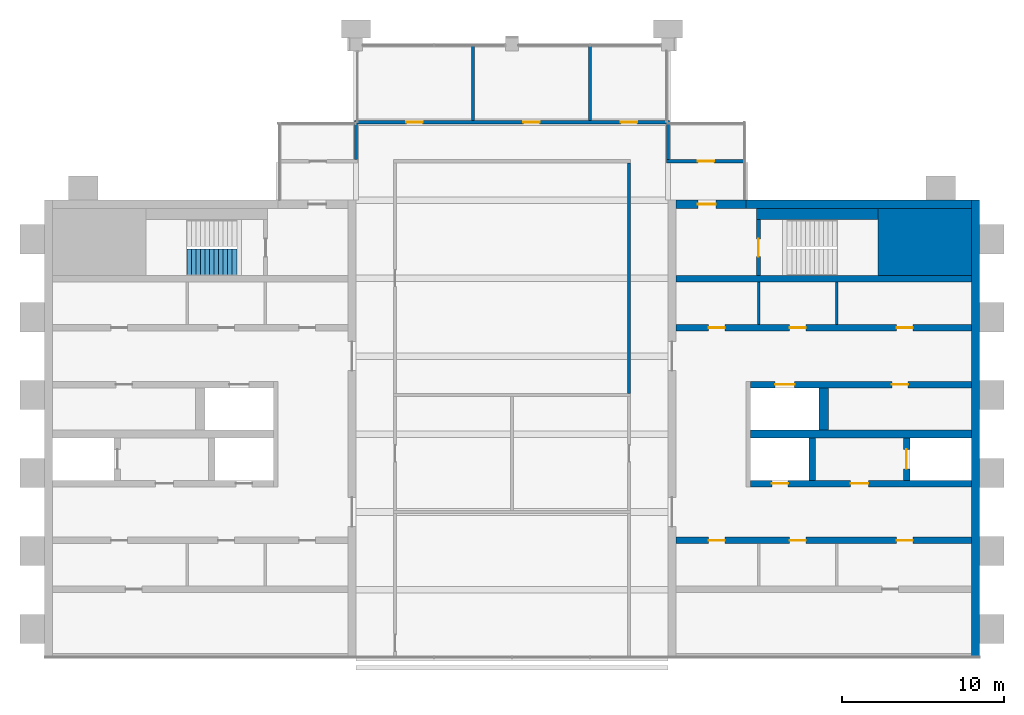
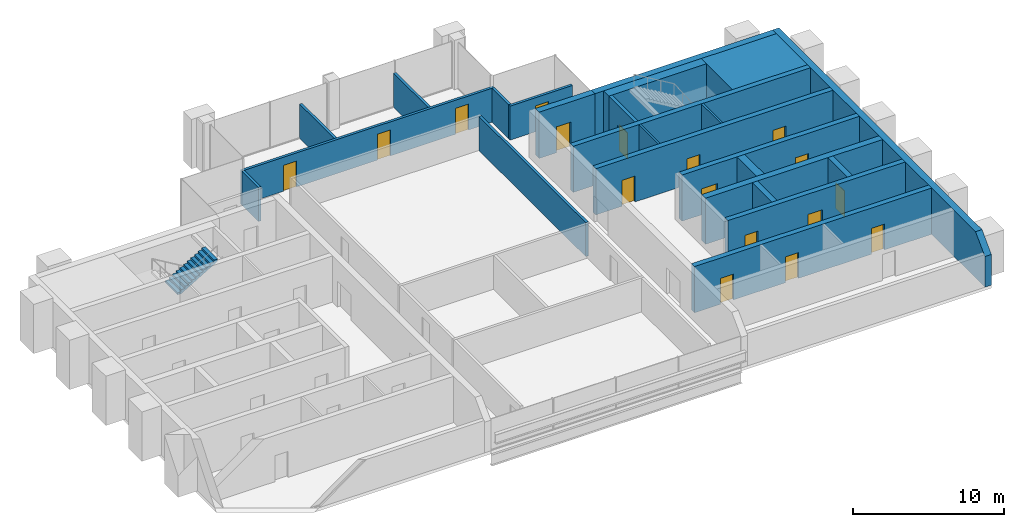
# One storey, part 10 of 12: 24 walls, 17 doors, 1 stair flight, 17 openings, 1 element without a shape of its own.
"""IFC4 building model written with IfcOpenShell, lengths in metres."""

from ifc_helpers import new_model, si_unit, direction, frame, frame_2d, origin, place, context, subcontext, project, spatial, polyline, rectangle, outline, extrude, material, layer, layer_set, type_object, element, fill, aggregate, save


model = new_model("IFC4")

# Units and contexts
model_context = context("Model", 3, precision=1e-05, world=origin(), true_north=direction((0.0, 1.0)))
body_context = subcontext(model_context, "Body", "Model", "MODEL_VIEW")
ifc_project = project(units=[si_unit("LENGTHUNIT", "METRE"), si_unit("AREAUNIT", "SQUARE_METRE"), si_unit("VOLUMEUNIT", "CUBIC_METRE"), si_unit("PLANEANGLEUNIT", "RADIAN"), si_unit("MASSUNIT", "GRAM", prefix="KILO")], contexts=[model_context])

# Site, building, storey
site_placement = place(None, origin())
site = spatial("IfcSite", under=ifc_project, at=site_placement, CompositionType="ELEMENT")
building_placement = place(site_placement, origin())
building = spatial("IfcBuilding", under=site, at=building_placement, Name="Baori Bourse Tower", CompositionType="ELEMENT")
storey_placement = place(building_placement, frame((0.0, 0.0, 370.300048828125)))
storey = spatial("IfcBuildingStorey", under=building, at=storey_placement, Name="L83", CompositionType="ELEMENT", Elevation=370.300048828125)

# Walls
ifc_material_1 = material(Name="Concrete f'c 40 MPa", Category="concrete")
wall_type_1 = type_object("IfcWallType", Name="Core corner block f'c 40", PredefinedType="SHEAR", material=ifc_material_1)
wall_1_placement = place(storey_placement, frame((51.35009765625, 35.824951171875, 0.0), z_axis=(0.0, 0.0, 1.0), x_axis=(1.0, 0.0, 0.0)))
element("IfcWall", 1, at=wall_1_placement, inside=storey, type_object=wall_type_1, Name="Core wall E19", PredefinedType="SHEAR", context=body_context, shape_type="SweptSolid", body=[
    extrude(rectangle(XDim=5.75, YDim=4.14990234375, at=frame_2d((2.875, 0.0))), origin(), (0.0, 0.0, 1.0), 3.75),
])
ifc_material_2 = material(Name="Blockwork partition", Category="masonry")
ifc_layer_1 = layer(ifc_material_2, 0.14990234375)
ifc_layer_set_1 = layer_set([ifc_layer_1], Name="Core partition 150")
wall_type_2 = type_object("IfcWallType", Name="Core partition 150", PredefinedType="PARTITIONING", material=ifc_layer_set_1)
for number, where, z_axis, x_axis, name in (
    (2, (48.800048828125, 30.75, 0.0), (0.0, 0.0, 1.0), (0.0, 1.0, 0.0), "Partition wall E16"),
    (3, (44.0, 30.75, 0.0), (0.0, 0.0, 1.0), (0.0, 1.0, 0.0), "Partition wall E17"),
):
    element("IfcWall", number, at=place(storey_placement, frame(where, z_axis=z_axis, x_axis=x_axis)), inside=storey, type_object=wall_type_2, Name=name, PredefinedType="PARTITIONING", context=body_context, shape_type="SweptSolid", body=[
        extrude(rectangle(XDim=2.60009765625, YDim=0.14990234375, at=frame_2d((1.300048828125, 0.0))), origin(), (0.0, 0.0, 1.0), 3.75),
    ])
ifc_material_3 = material(Name="Concrete f'c 40 MPa", Category="concrete")
ifc_layer_2 = layer(ifc_material_3, 0.5)
ifc_layer_set_2 = layer_set([ifc_layer_2], Name="Core wall 500 f'c 40")
wall_type_3 = type_object("IfcWallType", Name="Core wall 500 f'c 40", PredefinedType="SHEAR", material=ifc_layer_set_2)
wall_2_placement = place(storey_placement, frame((57.35009765625, 38.39990234375, 0.0), z_axis=(0.0, 0.0, 1.0), x_axis=(0.0, -1.0, 0.0)))
element("IfcWall", 4, at=wall_2_placement, inside=storey, type_object=wall_type_3, Name="Core wall E01", PredefinedType="SHEAR", context=body_context, shape_type="SweptSolid", body=[
    extrude(outline(polyline([(0.0, 0.0), (28.22705078125, 0.0), (28.22705078125, 2.487548828125), (26.980224609375, 3.75), (0.0, 3.75), (0.0, 0.0)])), frame((0.0, 0.25, 0.0), z_axis=(0.0, -1.0, 0.0), x_axis=(1.0, 0.0, 0.0)), (0.0, 0.0, 1.0), 0.5),
])
wall_3_placement = place(storey_placement, frame((43.199951171875, 38.14990234375, 0.0), z_axis=(0.0, 0.0, 1.0), x_axis=(1.0, 0.0, 0.0)))
element("IfcWall", 5, at=wall_3_placement, inside=storey, type_object=wall_type_3, Name="Core wall E22", PredefinedType="SHEAR", context=body_context, shape_type="SweptSolid", body=[
    extrude(rectangle(XDim=13.900146484375, YDim=0.5, at=frame_2d((6.9501953125, 0.0))), origin(), (0.0, 0.0, 1.0), 3.75),
])

# Wall, opening, door
wall_4_placement = place(storey_placement, frame((38.89990234375, 38.14990234375, 0.0), z_axis=(0.0, 0.0, 1.0), x_axis=(1.0, 0.0, 0.0)))
wall_4 = element("IfcWall", 6, at=wall_4_placement, inside=storey, type_object=wall_type_3, Name="Core wall E23", PredefinedType="SHEAR", context=body_context, shape_type="SweptSolid", body=[
    extrude(rectangle(XDim=4.300048828125, YDim=0.5, at=frame_2d((2.14990234375, 0.0))), origin(), (0.0, 0.0, 1.0), 3.75),
])
opening_1_placement = place(wall_4_placement, frame((1.35009765625, 0.0, 0.0)))
opening_1 = element("IfcOpeningElement", 7, at=opening_1_placement, cuts=wall_4, Name="Opening L83-D202", PredefinedType="OPENING", context=body_context, shape_type="SweptSolid", body=[
    extrude(rectangle(XDim=1.10009765625, YDim=2.10009765625, at=frame_2d((0.550048828125, 1.050048828125))), frame((0.0, 0.260009765625, 0.0), z_axis=(0.0, -1.0, 0.0), x_axis=(1.0, 0.0, 0.0)), (0.0, 0.0, 1.0), 0.52001953125),
])
ifc_material_4 = material(Name="Painted steel door", Category="steel")
door_type_1 = type_object("IfcDoorType", Name="Stair door 1100", OperationType="SINGLE_SWING_LEFT", PredefinedType="DOOR", material=ifc_material_4)
door_1_placement = place(opening_1_placement, origin())
door_1 = element("IfcDoor", 8, at=door_1_placement, inside=storey, type_object=door_type_1, Name="Stair vestibule door B E L83", OperationType="SINGLE_SWING_LEFT", OverallHeight=2.10009765625, OverallWidth=1.10009765625, PredefinedType="DOOR", context=body_context, shape_type="SweptSolid", body=[
    extrude(rectangle(XDim=1.10009765625, YDim=2.10009765625, at=frame_2d((0.550048828125, 1.050048828125))), frame((0.0, 0.02490234375, 0.0), z_axis=(0.0, -1.0, 0.0), x_axis=(1.0, 0.0, 0.0)), (0.0, 0.0, 1.0), 0.050048828125),
])
fill(opening_1, door_1)

ifc_material_5 = material(Name="Gypsum board partition")
ifc_layer_3 = layer(ifc_material_5, 0.199951171875)
ifc_layer_set_3 = layer_set([ifc_layer_3], Name="Plant room wall 200")
wall_type_4 = type_object("IfcWallType", Name="Plant room wall 200", PredefinedType="PARTITIONING", material=ifc_layer_set_3)
wall_5_placement = place(storey_placement, frame((38.300048828125, 40.800048828125, 0.0), z_axis=(0.0, 0.0, 1.0), x_axis=(1.0, 0.0, 0.0)))
wall_5 = element("IfcWall", 9, at=wall_5_placement, inside=storey, type_object=wall_type_4, Name="Partition", PredefinedType="PARTITIONING", context=body_context, shape_type="SweptSolid", body=[
    extrude(rectangle(XDim=4.800048828125, YDim=0.199951171875, at=frame_2d((2.39990234375, 0.0))), origin(), (0.0, 0.0, 1.0), 2.75927734375),
])
opening_2_placement = place(wall_5_placement, frame((1.949951171875, 0.0, 0.0)))
opening_2 = element("IfcOpeningElement", 10, at=opening_2_placement, cuts=wall_5, Name="Opening L83-D02", PredefinedType="OPENING", context=body_context, shape_type="SweptSolid", body=[
    extrude(rectangle(XDim=1.0, YDim=2.10009765625, at=frame_2d((0.5, 1.050048828125))), frame((0.0, 0.10986328125, 0.0), z_axis=(0.0, -1.0, 0.0), x_axis=(1.0, 0.0, 0.0)), (0.0, 0.0, 1.0), 0.219970703125),
])
ifc_material_6 = material(Name="Timber door leaf", Category="wood")
door_type_2 = type_object("IfcDoorType", Name="Door 1000 x 2100", OperationType="SINGLE_SWING_LEFT", PredefinedType="DOOR", material=ifc_material_6)
door_2_placement = place(opening_2_placement, origin())
door_2 = element("IfcDoor", 11, at=door_2_placement, inside=storey, type_object=door_type_2, Name="Door", OperationType="SINGLE_SWING_LEFT", OverallHeight=2.10009765625, OverallWidth=1.0, PredefinedType="DOOR", context=body_context, shape_type="SweptSolid", body=[
    extrude(rectangle(XDim=1.0, YDim=2.10009765625, at=frame_2d((0.5, 1.050048828125))), frame((0.0, 0.02490234375, 0.0), z_axis=(0.0, -1.0, 0.0), x_axis=(1.0, 0.0, 0.0)), (0.0, 0.0, 1.0), 0.050048828125),
])
fill(opening_2, door_2)

# Wall, openings, doors
wall_6_placement = place(storey_placement, frame((19.10009765625, 43.199951171875, 0.0), z_axis=(0.0, 0.0, 1.0), x_axis=(1.0, 0.0, 0.0)))
wall_6 = element("IfcWall", 12, at=wall_6_placement, inside=storey, type_object=wall_type_4, Name="Partition", PredefinedType="PARTITIONING", context=body_context, shape_type="SweptSolid", body=[
    extrude(rectangle(XDim=19.39990234375, YDim=0.199951171875, at=frame_2d((9.699951171875, 0.0))), origin(), (0.0, 0.0, 1.0), 2.75927734375),
])
opening_3_placement = place(wall_6_placement, frame((3.199951171875, 0.0, 0.0)))
opening_3 = element("IfcOpeningElement", 13, at=opening_3_placement, cuts=wall_6, Name="Opening L83-D03", PredefinedType="OPENING", context=body_context, shape_type="SweptSolid", body=[
    extrude(rectangle(XDim=1.0, YDim=2.10009765625, at=frame_2d((0.5, 1.050048828125))), frame((0.0, 0.10986328125, 0.0), z_axis=(0.0, -1.0, 0.0), x_axis=(1.0, 0.0, 0.0)), (0.0, 0.0, 1.0), 0.219970703125),
])
opening_4_placement = place(wall_6_placement, frame((10.39990234375, 0.0, 0.0)))
opening_4 = element("IfcOpeningElement", 14, at=opening_4_placement, cuts=wall_6, Name="Opening L83-D04", PredefinedType="OPENING", context=body_context, shape_type="SweptSolid", body=[
    extrude(rectangle(XDim=1.0, YDim=2.10009765625, at=frame_2d((0.5, 1.050048828125))), frame((0.0, 0.10986328125, 0.0), z_axis=(0.0, -1.0, 0.0), x_axis=(1.0, 0.0, 0.0)), (0.0, 0.0, 1.0), 0.219970703125),
])
opening_5_placement = place(wall_6_placement, frame((16.39990234375, 0.0, 0.0)))
opening_5 = element("IfcOpeningElement", 15, at=opening_5_placement, cuts=wall_6, Name="Opening L83-D05", PredefinedType="OPENING", context=body_context, shape_type="SweptSolid", body=[
    extrude(rectangle(XDim=1.0, YDim=2.10009765625, at=frame_2d((0.5, 1.050048828125))), frame((0.0, 0.10986328125, 0.0), z_axis=(0.0, -1.0, 0.0), x_axis=(1.0, 0.0, 0.0)), (0.0, 0.0, 1.0), 0.219970703125),
])
door_3_placement = place(opening_3_placement, origin())
door_3 = element("IfcDoor", 16, at=door_3_placement, inside=storey, type_object=door_type_2, Name="Door", OperationType="SINGLE_SWING_RIGHT", OverallHeight=2.10009765625, OverallWidth=1.0, PredefinedType="DOOR", context=body_context, shape_type="SweptSolid", body=[
    extrude(rectangle(XDim=1.0, YDim=2.10009765625, at=frame_2d((0.5, 1.050048828125))), frame((0.0, 0.02490234375, 0.0), z_axis=(0.0, -1.0, 0.0), x_axis=(1.0, 0.0, 0.0)), (0.0, 0.0, 1.0), 0.050048828125),
])
fill(opening_3, door_3)
door_4_placement = place(opening_4_placement, origin())
door_4 = element("IfcDoor", 17, at=door_4_placement, inside=storey, type_object=door_type_2, Name="Door", OperationType="SINGLE_SWING_LEFT", OverallHeight=2.10009765625, OverallWidth=1.0, PredefinedType="DOOR", context=body_context, shape_type="SweptSolid", body=[
    extrude(rectangle(XDim=1.0, YDim=2.10009765625, at=frame_2d((0.5, 1.050048828125))), frame((0.0, 0.02490234375, 0.0), z_axis=(0.0, -1.0, 0.0), x_axis=(1.0, 0.0, 0.0)), (0.0, 0.0, 1.0), 0.050048828125),
])
fill(opening_4, door_4)
door_5_placement = place(opening_5_placement, origin())
door_5 = element("IfcDoor", 18, at=door_5_placement, inside=storey, type_object=door_type_2, Name="Door", OperationType="SINGLE_SWING_LEFT", OverallHeight=2.10009765625, OverallWidth=1.0, PredefinedType="DOOR", context=body_context, shape_type="SweptSolid", body=[
    extrude(rectangle(XDim=1.0, YDim=2.10009765625, at=frame_2d((0.5, 1.050048828125))), frame((0.0, 0.02490234375, 0.0), z_axis=(0.0, -1.0, 0.0), x_axis=(1.0, 0.0, 0.0)), (0.0, 0.0, 1.0), 0.050048828125),
])
fill(opening_5, door_5)

# Walls
wall_7_placement = place(storey_placement, frame((19.199951171875, 40.89990234375, 0.0), z_axis=(0.0, 0.0, 1.0), x_axis=(0.0, 1.0, 0.0)))
element("IfcWall", 19, at=wall_7_placement, inside=storey, type_object=wall_type_4, Name="Partition", PredefinedType="PARTITIONING", context=body_context, shape_type="SweptSolid", body=[
    extrude(rectangle(XDim=2.2001953125, YDim=0.199951171875, at=frame_2d((1.10009765625, 0.0))), origin(), (0.0, 0.0, 1.0), 2.75927734375),
])
for number, where, z_axis, x_axis, name in (
    (20, (26.39990234375, 43.300048828125, 0.0), (0.0, 0.0, 1.0), (0.0, 1.0, 0.0), "Partition"),
    (21, (33.60009765625, 43.300048828125, 0.0), (0.0, 0.0, 1.0), (0.0, 1.0, 0.0), "Partition"),
):
    element("IfcWall", number, at=place(storey_placement, frame(where, z_axis=z_axis, x_axis=x_axis)), inside=storey, type_object=wall_type_4, Name=name, PredefinedType="PARTITIONING", context=body_context, shape_type="SweptSolid", body=[
        extrude(rectangle(XDim=4.599853515625, YDim=0.199951171875, at=frame_2d((2.2998046875, 0.0))), origin(), (0.0, 0.0, 1.0), 2.75927734375),
    ])
wall_8_placement = place(storey_placement, frame((36.0, 26.5, 0.0), z_axis=(0.0, 0.0, 1.0), x_axis=(0.0, 1.0, 0.0)))
element("IfcWall", 22, at=wall_8_placement, inside=storey, type_object=wall_type_4, Name="Partition", PredefinedType="PARTITIONING", context=body_context, shape_type="SweptSolid", body=[
    extrude(rectangle(XDim=14.199951171875, YDim=0.199951171875, at=frame_2d((7.10009765625, 0.0))), origin(), (0.0, 0.0, 1.0), 2.75927734375),
])
wall_9_placement = place(storey_placement, frame((38.39990234375, 40.89990234375, 0.0), z_axis=(0.0, 0.0, 1.0), x_axis=(0.0, 1.0, 0.0)))
element("IfcWall", 23, at=wall_9_placement, inside=storey, type_object=wall_type_4, Name="Partition", PredefinedType="PARTITIONING", context=body_context, shape_type="SweptSolid", body=[
    extrude(rectangle(XDim=2.2001953125, YDim=0.199951171875, at=frame_2d((1.10009765625, 0.0))), origin(), (0.0, 0.0, 1.0), 2.75927734375),
])

# Wall, opening, door
ifc_material_7 = material(Name="Concrete f'c 40 MPa", Category="concrete")
ifc_layer_4 = layer(ifc_material_7, 0.25)
ifc_layer_set_4 = layer_set([ifc_layer_4], Name="Shaft wall 250 f'c 40")
wall_type_5 = type_object("IfcWallType", Name="Shaft wall 250 f'c 40", PredefinedType="SHEAR", material=ifc_layer_set_4)
wall_10_placement = place(storey_placement, frame((43.97509765625, 33.75, 0.0), z_axis=(0.0, 0.0, 1.0), x_axis=(0.0, 1.0, 0.0)))
wall_10 = element("IfcWall", 24, at=wall_10_placement, inside=storey, type_object=wall_type_5, Name="Core wall E20", PredefinedType="SHEAR", context=body_context, shape_type="SweptSolid", body=[
    extrude(rectangle(XDim=3.449951171875, YDim=0.25, at=frame_2d((1.72509765625, 0.0))), origin(), (0.0, 0.0, 1.0), 3.75),
])
opening_6_placement = place(wall_10_placement, frame((1.175048828125, 0.0, 0.0)))
opening_6 = element("IfcOpeningElement", 25, at=opening_6_placement, cuts=wall_10, Name="Opening L83-D201", PredefinedType="OPENING", context=body_context, shape_type="SweptSolid", body=[
    extrude(rectangle(XDim=1.10009765625, YDim=2.10009765625, at=frame_2d((0.550048828125, 1.050048828125))), frame((0.0, 0.135009765625, 0.0), z_axis=(0.0, -1.0, 0.0), x_axis=(1.0, 0.0, 0.0)), (0.0, 0.0, 1.0), 0.27001953125),
])
door_6_placement = place(opening_6_placement, origin())
door_6 = element("IfcDoor", 26, at=door_6_placement, inside=storey, type_object=door_type_1, Name="Stair door B E L83", OperationType="SINGLE_SWING_LEFT", OverallHeight=2.10009765625, OverallWidth=1.10009765625, PredefinedType="DOOR", context=body_context, shape_type="SweptSolid", body=[
    extrude(rectangle(XDim=1.10009765625, YDim=2.10009765625, at=frame_2d((0.550048828125, 1.050048828125))), frame((0.0, 0.02490234375, 0.0), z_axis=(0.0, -1.0, 0.0), x_axis=(1.0, 0.0, 0.0)), (0.0, 0.0, 1.0), 0.050048828125),
])
fill(opening_6, door_6)

# Wall, openings, doors
ifc_material_8 = material(Name="Concrete f'c 40 MPa", Category="concrete")
ifc_layer_5 = layer(ifc_material_8, 0.39990234375)
ifc_layer_set_5 = layer_set([ifc_layer_5], Name="Shaft wall 400 f'c 40")
wall_type_6 = type_object("IfcWallType", Name="Shaft wall 400 f'c 40", PredefinedType="SHEAR", material=ifc_layer_set_5)
wall_11_placement = place(storey_placement, frame((38.89990234375, 17.449951171875, 0.0), z_axis=(0.0, 0.0, 1.0), x_axis=(1.0, 0.0, 0.0)))
wall_11 = element("IfcWall", 27, at=wall_11_placement, inside=storey, type_object=wall_type_6, Name="Core wall E07", PredefinedType="SHEAR", context=body_context, shape_type="SweptSolid", body=[
    extrude(rectangle(XDim=18.2001953125, YDim=0.39990234375, at=frame_2d((9.10009765625, 0.0))), origin(), (0.0, 0.0, 1.0), 3.75),
])
opening_7_placement = place(wall_11_placement, frame((13.58740234375, 0.0, 0.0)))
opening_7 = element("IfcOpeningElement", 28, at=opening_7_placement, cuts=wall_11, Name="Opening L83-D211", PredefinedType="OPENING", context=body_context, shape_type="SweptSolid", body=[
    extrude(rectangle(XDim=1.0, YDim=2.10009765625, at=frame_2d((0.5, 1.050048828125))), frame((0.0, 0.2099609375, 0.0), z_axis=(0.0, -1.0, 0.0), x_axis=(1.0, 0.0, 0.0)), (0.0, 0.0, 1.0), 0.419921875),
])
opening_8_placement = place(wall_11_placement, frame((7.0, 0.0, 0.0)))
opening_8 = element("IfcOpeningElement", 29, at=opening_8_placement, cuts=wall_11, Name="Opening L83-D212", PredefinedType="OPENING", context=body_context, shape_type="SweptSolid", body=[
    extrude(rectangle(XDim=1.0, YDim=2.10009765625, at=frame_2d((0.5, 1.050048828125))), frame((0.0, 0.2099609375, 0.0), z_axis=(0.0, -1.0, 0.0), x_axis=(1.0, 0.0, 0.0)), (0.0, 0.0, 1.0), 0.419921875),
])
opening_9_placement = place(wall_11_placement, frame((2.012451171875, 0.0, 0.0)))
opening_9 = element("IfcOpeningElement", 30, at=opening_9_placement, cuts=wall_11, Name="Opening L83-D213", PredefinedType="OPENING", context=body_context, shape_type="SweptSolid", body=[
    extrude(rectangle(XDim=1.0, YDim=2.10009765625, at=frame_2d((0.5, 1.050048828125))), frame((0.0, 0.2099609375, 0.0), z_axis=(0.0, -1.0, 0.0), x_axis=(1.0, 0.0, 0.0)), (0.0, 0.0, 1.0), 0.419921875),
])
ifc_material_9 = material(Name="Painted steel door", Category="steel")
door_type_3 = type_object("IfcDoorType", Name="Plant room door 1000", OperationType="SINGLE_SWING_LEFT", PredefinedType="DOOR", material=ifc_material_9)
door_7_placement = place(opening_7_placement, origin())
door_7 = element("IfcDoor", 31, at=door_7_placement, inside=storey, type_object=door_type_3, Name="Air Handling Fan Room door E L83", OperationType="SINGLE_SWING_LEFT", OverallHeight=2.10009765625, OverallWidth=1.0, PredefinedType="DOOR", context=body_context, shape_type="SweptSolid", body=[
    extrude(rectangle(XDim=1.0, YDim=2.10009765625, at=frame_2d((0.5, 1.050048828125))), frame((0.0, 0.02490234375, 0.0), z_axis=(0.0, -1.0, 0.0), x_axis=(1.0, 0.0, 0.0)), (0.0, 0.0, 1.0), 0.050048828125),
])
fill(opening_7, door_7)
door_8_placement = place(opening_8_placement, origin())
door_8 = element("IfcDoor", 32, at=door_8_placement, inside=storey, type_object=door_type_3, Name="Electrical Room door E L83", OperationType="SINGLE_SWING_LEFT", OverallHeight=2.10009765625, OverallWidth=1.0, PredefinedType="DOOR", context=body_context, shape_type="SweptSolid", body=[
    extrude(rectangle(XDim=1.0, YDim=2.10009765625, at=frame_2d((0.5, 1.050048828125))), frame((0.0, 0.02490234375, 0.0), z_axis=(0.0, -1.0, 0.0), x_axis=(1.0, 0.0, 0.0)), (0.0, 0.0, 1.0), 0.050048828125),
])
fill(opening_8, door_8)
door_9_placement = place(opening_9_placement, origin())
door_9 = element("IfcDoor", 33, at=door_9_placement, inside=storey, type_object=door_type_3, Name="Mechanical Room door E L83", OperationType="SINGLE_SWING_LEFT", OverallHeight=2.10009765625, OverallWidth=1.0, PredefinedType="DOOR", context=body_context, shape_type="SweptSolid", body=[
    extrude(rectangle(XDim=1.0, YDim=2.10009765625, at=frame_2d((0.5, 1.050048828125))), frame((0.0, 0.02490234375, 0.0), z_axis=(0.0, -1.0, 0.0), x_axis=(1.0, 0.0, 0.0)), (0.0, 0.0, 1.0), 0.050048828125),
])
fill(opening_9, door_9)

wall_12_placement = place(storey_placement, frame((43.5, 20.949951171875, 0.0), z_axis=(0.0, 0.0, 1.0), x_axis=(1.0, 0.0, 0.0)))
wall_12 = element("IfcWall", 34, at=wall_12_placement, inside=storey, type_object=wall_type_6, Name="Core wall E08", PredefinedType="SHEAR", context=body_context, shape_type="SweptSolid", body=[
    extrude(rectangle(XDim=13.60009765625, YDim=0.39990234375, at=frame_2d((6.800048828125, 0.0))), origin(), (0.0, 0.0, 1.0), 3.75),
])
opening_10_placement = place(wall_12_placement, frame((6.14990234375, 0.0, 0.0)))
opening_10 = element("IfcOpeningElement", 35, at=opening_10_placement, cuts=wall_12, Name="Opening L83-D204", PredefinedType="OPENING", context=body_context, shape_type="SweptSolid", body=[
    extrude(rectangle(XDim=1.10009765625, YDim=2.10009765625, at=frame_2d((0.550048828125, 1.050048828125))), frame((0.0, 0.2099609375, 0.0), z_axis=(0.0, -1.0, 0.0), x_axis=(1.0, 0.0, 0.0)), (0.0, 0.0, 1.0), 0.419921875),
])
opening_11_placement = place(wall_12_placement, frame((1.300048828125, 0.0, 0.0)))
opening_11 = element("IfcOpeningElement", 36, at=opening_11_placement, cuts=wall_12, Name="Opening L83-D205", PredefinedType="OPENING", context=body_context, shape_type="SweptSolid", body=[
    extrude(rectangle(XDim=1.0, YDim=2.10009765625, at=frame_2d((0.5, 1.050048828125))), frame((0.0, 0.2099609375, 0.0), z_axis=(0.0, -1.0, 0.0), x_axis=(1.0, 0.0, 0.0)), (0.0, 0.0, 1.0), 0.419921875),
])
ifc_material_10 = material(Name="Painted steel door", Category="steel")
door_type_4 = type_object("IfcDoorType", Name="Lobby door 1100", OperationType="SINGLE_SWING_LEFT", PredefinedType="DOOR", material=ifc_material_10)
door_10_placement = place(opening_10_placement, origin())
door_10 = element("IfcDoor", 37, at=door_10_placement, inside=storey, type_object=door_type_4, Name="Firefighting lobby door E L83", OperationType="SINGLE_SWING_LEFT", OverallHeight=2.10009765625, OverallWidth=1.10009765625, PredefinedType="DOOR", context=body_context, shape_type="SweptSolid", body=[
    extrude(rectangle(XDim=1.10009765625, YDim=2.10009765625, at=frame_2d((0.550048828125, 1.050048828125))), frame((0.0, 0.02490234375, 0.0), z_axis=(0.0, -1.0, 0.0), x_axis=(1.0, 0.0, 0.0)), (0.0, 0.0, 1.0), 0.050048828125),
])
fill(opening_10, door_10)
ifc_material_11 = material(Name="Painted steel door", Category="steel")
door_type_5 = type_object("IfcDoorType", Name="Shaft door 1000", OperationType="SINGLE_SWING_LEFT", PredefinedType="DOOR", material=ifc_material_11)
door_11_placement = place(opening_11_placement, origin())
door_11 = element("IfcDoor", 38, at=door_11_placement, inside=storey, type_object=door_type_5, Name="Riser room door E L83", OperationType="SINGLE_SWING_LEFT", OverallHeight=2.10009765625, OverallWidth=1.0, PredefinedType="DOOR", context=body_context, shape_type="SweptSolid", body=[
    extrude(rectangle(XDim=1.0, YDim=2.10009765625, at=frame_2d((0.5, 1.050048828125))), frame((0.0, 0.02490234375, 0.0), z_axis=(0.0, -1.0, 0.0), x_axis=(1.0, 0.0, 0.0)), (0.0, 0.0, 1.0), 0.050048828125),
])
fill(opening_11, door_11)

# Wall, opening, door
wall_13_placement = place(storey_placement, frame((53.10009765625, 21.14990234375, 0.0), z_axis=(0.0, 0.0, 1.0), x_axis=(0.0, 1.0, 0.0)))
wall_13 = element("IfcWall", 39, at=wall_13_placement, inside=storey, type_object=wall_type_6, Name="Core wall E10", PredefinedType="SHEAR", context=body_context, shape_type="SweptSolid", body=[
    extrude(rectangle(XDim=2.60009765625, YDim=0.39990234375, at=frame_2d((1.300048828125, 0.0))), origin(), (0.0, 0.0, 1.0), 3.75),
])
opening_12_placement = place(wall_13_placement, frame((0.699951171875, 0.0, 0.0)))
opening_12 = element("IfcOpeningElement", 40, at=opening_12_placement, cuts=wall_13, Name="Opening L83-D216", PredefinedType="OPENING", context=body_context, shape_type="SweptSolid", body=[
    extrude(rectangle(XDim=1.199951171875, YDim=2.10009765625, at=frame_2d((0.60009765625, 1.050048828125))), frame((0.0, 0.2099609375, 0.0), z_axis=(0.0, -1.0, 0.0), x_axis=(1.0, 0.0, 0.0)), (0.0, 0.0, 1.0), 0.419921875),
])
ifc_material_12 = material(Name="Stainless steel door", Category="steel")
door_type_6 = type_object("IfcDoorType", Name="Lift landing door", OperationType="DOUBLE_DOOR_SLIDING", PredefinedType="DOOR", material=ifc_material_12)
door_12_placement = place(opening_12_placement, origin())
door_12 = element("IfcDoor", 41, at=door_12_placement, inside=storey, type_object=door_type_6, Name="Lift landing door FF2 E L83", OperationType="DOUBLE_DOOR_SLIDING", OverallHeight=2.10009765625, OverallWidth=1.199951171875, PredefinedType="DOOR", context=body_context, shape_type="SweptSolid", body=[
    extrude(rectangle(XDim=1.199951171875, YDim=2.10009765625, at=frame_2d((0.60009765625, 1.050048828125))), frame((0.0, 0.02490234375, 0.0), z_axis=(0.0, -1.0, 0.0), x_axis=(1.0, 0.0, 0.0)), (0.0, 0.0, 1.0), 0.050048828125),
])
fill(opening_12, door_12)

# Wall
wall_14_placement = place(storey_placement, frame((47.300048828125, 21.14990234375, 0.0), z_axis=(0.0, 0.0, 1.0), x_axis=(0.0, 1.0, 0.0)))
element("IfcWall", 42, at=wall_14_placement, inside=storey, type_object=wall_type_6, Name="Core wall E11", PredefinedType="SHEAR", context=body_context, shape_type="SweptSolid", body=[
    extrude(rectangle(XDim=2.60009765625, YDim=0.39990234375, at=frame_2d((1.300048828125, 0.0))), origin(), (0.0, 0.0, 1.0), 3.75),
])

# Wall, openings, doors
wall_15_placement = place(storey_placement, frame((43.5, 27.050048828125, 0.0), z_axis=(0.0, 0.0, 1.0), x_axis=(1.0, 0.0, 0.0)))
wall_15 = element("IfcWall", 43, at=wall_15_placement, inside=storey, type_object=wall_type_6, Name="Core wall E14", PredefinedType="SHEAR", context=body_context, shape_type="SweptSolid", body=[
    extrude(rectangle(XDim=13.60009765625, YDim=0.39990234375, at=frame_2d((6.800048828125, 0.0))), origin(), (0.0, 0.0, 1.0), 3.75),
])
opening_13_placement = place(wall_15_placement, frame((8.699951171875, 0.0, 0.0)))
opening_13 = element("IfcOpeningElement", 44, at=opening_13_placement, cuts=wall_15, Name="Opening L83-D214", PredefinedType="OPENING", context=body_context, shape_type="SweptSolid", body=[
    extrude(rectangle(XDim=1.0, YDim=2.10009765625, at=frame_2d((0.5, 1.050048828125))), frame((0.0, 0.2099609375, 0.0), z_axis=(0.0, -1.0, 0.0), x_axis=(1.0, 0.0, 0.0)), (0.0, 0.0, 1.0), 0.419921875),
])
opening_14_placement = place(wall_15_placement, frame((1.5, 0.0, 0.0)))
opening_14 = element("IfcOpeningElement", 45, at=opening_14_placement, cuts=wall_15, Name="Opening L83-D215", PredefinedType="OPENING", context=body_context, shape_type="SweptSolid", body=[
    extrude(rectangle(XDim=1.199951171875, YDim=2.10009765625, at=frame_2d((0.60009765625, 1.050048828125))), frame((0.0, 0.2099609375, 0.0), z_axis=(0.0, -1.0, 0.0), x_axis=(1.0, 0.0, 0.0)), (0.0, 0.0, 1.0), 0.419921875),
])
door_13_placement = place(opening_14_placement, origin())
door_13 = element("IfcDoor", 46, at=door_13_placement, inside=storey, type_object=door_type_6, Name="Lift landing door SV1 E L83", OperationType="DOUBLE_DOOR_SLIDING", OverallHeight=2.10009765625, OverallWidth=1.199951171875, PredefinedType="DOOR", context=body_context, shape_type="SweptSolid", body=[
    extrude(rectangle(XDim=1.199951171875, YDim=2.10009765625, at=frame_2d((0.60009765625, 1.050048828125))), frame((0.0, 0.02490234375, 0.0), z_axis=(0.0, -1.0, 0.0), x_axis=(1.0, 0.0, 0.0)), (0.0, 0.0, 1.0), 0.050048828125),
])
fill(opening_14, door_13)
door_14_placement = place(opening_13_placement, origin())
door_14 = element("IfcDoor", 47, at=door_14_placement, inside=storey, type_object=door_type_3, Name="Plant Room door E L83", OperationType="SINGLE_SWING_LEFT", OverallHeight=2.10009765625, OverallWidth=1.0, PredefinedType="DOOR", context=body_context, shape_type="SweptSolid", body=[
    extrude(rectangle(XDim=1.0, YDim=2.10009765625, at=frame_2d((0.5, 1.050048828125))), frame((0.0, 0.02490234375, 0.0), z_axis=(0.0, -1.0, 0.0), x_axis=(1.0, 0.0, 0.0)), (0.0, 0.0, 1.0), 0.050048828125),
])
fill(opening_13, door_14)

wall_16_placement = place(storey_placement, frame((38.89990234375, 30.550048828125, 0.0), z_axis=(0.0, 0.0, 1.0), x_axis=(1.0, 0.0, 0.0)))
wall_16 = element("IfcWall", 48, at=wall_16_placement, inside=storey, type_object=wall_type_6, Name="Core wall E15", PredefinedType="SHEAR", context=body_context, shape_type="SweptSolid", body=[
    extrude(rectangle(XDim=18.2001953125, YDim=0.39990234375, at=frame_2d((9.10009765625, 0.0))), origin(), (0.0, 0.0, 1.0), 3.75),
])
opening_15_placement = place(wall_16_placement, frame((13.58740234375, 0.0, 0.0)))
opening_15 = element("IfcOpeningElement", 49, at=opening_15_placement, cuts=wall_16, Name="Opening L83-D208", PredefinedType="OPENING", context=body_context, shape_type="SweptSolid", body=[
    extrude(rectangle(XDim=1.0, YDim=2.10009765625, at=frame_2d((0.5, 1.050048828125))), frame((0.0, 0.2099609375, 0.0), z_axis=(0.0, -1.0, 0.0), x_axis=(1.0, 0.0, 0.0)), (0.0, 0.0, 1.0), 0.419921875),
])
opening_16_placement = place(wall_16_placement, frame((7.0, 0.0, 0.0)))
opening_16 = element("IfcOpeningElement", 50, at=opening_16_placement, cuts=wall_16, Name="Opening L83-D209", PredefinedType="OPENING", context=body_context, shape_type="SweptSolid", body=[
    extrude(rectangle(XDim=1.0, YDim=2.10009765625, at=frame_2d((0.5, 1.050048828125))), frame((0.0, 0.2099609375, 0.0), z_axis=(0.0, -1.0, 0.0), x_axis=(1.0, 0.0, 0.0)), (0.0, 0.0, 1.0), 0.419921875),
])
opening_17_placement = place(wall_16_placement, frame((2.012451171875, 0.0, 0.0)))
opening_17 = element("IfcOpeningElement", 51, at=opening_17_placement, cuts=wall_16, Name="Opening L83-D210", PredefinedType="OPENING", context=body_context, shape_type="SweptSolid", body=[
    extrude(rectangle(XDim=1.0, YDim=2.10009765625, at=frame_2d((0.5, 1.050048828125))), frame((0.0, 0.2099609375, 0.0), z_axis=(0.0, -1.0, 0.0), x_axis=(1.0, 0.0, 0.0)), (0.0, 0.0, 1.0), 0.419921875),
])
door_15_placement = place(opening_15_placement, origin())
door_15 = element("IfcDoor", 52, at=door_15_placement, inside=storey, type_object=door_type_3, Name="Air Handling Fan Room door E L83", OperationType="SINGLE_SWING_LEFT", OverallHeight=2.10009765625, OverallWidth=1.0, PredefinedType="DOOR", context=body_context, shape_type="SweptSolid", body=[
    extrude(rectangle(XDim=1.0, YDim=2.10009765625, at=frame_2d((0.5, 1.050048828125))), frame((0.0, 0.02490234375, 0.0), z_axis=(0.0, -1.0, 0.0), x_axis=(1.0, 0.0, 0.0)), (0.0, 0.0, 1.0), 0.050048828125),
])
fill(opening_15, door_15)
door_16_placement = place(opening_16_placement, origin())
door_16 = element("IfcDoor", 53, at=door_16_placement, inside=storey, type_object=door_type_3, Name="Electrical Room door E L83", OperationType="SINGLE_SWING_LEFT", OverallHeight=2.10009765625, OverallWidth=1.0, PredefinedType="DOOR", context=body_context, shape_type="SweptSolid", body=[
    extrude(rectangle(XDim=1.0, YDim=2.10009765625, at=frame_2d((0.5, 1.050048828125))), frame((0.0, 0.02490234375, 0.0), z_axis=(0.0, -1.0, 0.0), x_axis=(1.0, 0.0, 0.0)), (0.0, 0.0, 1.0), 0.050048828125),
])
fill(opening_16, door_16)
door_17_placement = place(opening_17_placement, origin())
door_17 = element("IfcDoor", 54, at=door_17_placement, inside=storey, type_object=door_type_3, Name="Mechanical Room door E L83", OperationType="SINGLE_SWING_LEFT", OverallHeight=2.10009765625, OverallWidth=1.0, PredefinedType="DOOR", context=body_context, shape_type="SweptSolid", body=[
    extrude(rectangle(XDim=1.0, YDim=2.10009765625, at=frame_2d((0.5, 1.050048828125))), frame((0.0, 0.02490234375, 0.0), z_axis=(0.0, -1.0, 0.0), x_axis=(1.0, 0.0, 0.0)), (0.0, 0.0, 1.0), 0.050048828125),
])
fill(opening_17, door_17)

# Walls
wall_17_placement = place(storey_placement, frame((38.89990234375, 33.550048828125, 0.0), z_axis=(0.0, 0.0, 1.0), x_axis=(1.0, 0.0, 0.0)))
element("IfcWall", 55, at=wall_17_placement, inside=storey, type_object=wall_type_6, Name="Core wall E18", PredefinedType="SHEAR", context=body_context, shape_type="SweptSolid", body=[
    extrude(rectangle(XDim=18.2001953125, YDim=0.39990234375, at=frame_2d((9.10009765625, 0.0))), origin(), (0.0, 0.0, 1.0), 3.75),
])
ifc_material_13 = material(Name="Concrete f'c 40 MPa", Category="concrete")
ifc_layer_6 = layer(ifc_material_13, 0.5)
ifc_layer_set_6 = layer_set([ifc_layer_6], Name="Shaft wall 500 f'c 40")
wall_type_7 = type_object("IfcWallType", Name="Shaft wall 500 f'c 40", PredefinedType="SHEAR", material=ifc_layer_set_6)
wall_18_placement = place(storey_placement, frame((43.5, 24.0, 0.0), z_axis=(0.0, 0.0, 1.0), x_axis=(1.0, 0.0, 0.0)))
element("IfcWall", 56, at=wall_18_placement, inside=storey, type_object=wall_type_7, Name="Core wall E12", PredefinedType="SHEAR", context=body_context, shape_type="SweptSolid", body=[
    extrude(rectangle(XDim=13.60009765625, YDim=0.5, at=frame_2d((6.800048828125, 0.0))), origin(), (0.0, 0.0, 1.0), 3.75),
])
ifc_material_14 = material(Name="Concrete f'c 40 MPa", Category="concrete")
ifc_layer_7 = layer(ifc_material_14, 0.60009765625)
ifc_layer_set_7 = layer_set([ifc_layer_7], Name="Shaft wall 600 f'c 40")
wall_type_8 = type_object("IfcWallType", Name="Shaft wall 600 f'c 40", PredefinedType="SHEAR", material=ifc_layer_set_7)
wall_19_placement = place(storey_placement, frame((48.0, 24.25, 0.0), z_axis=(0.0, 0.0, 1.0), x_axis=(0.0, 1.0, 0.0)))
element("IfcWall", 57, at=wall_19_placement, inside=storey, type_object=wall_type_8, Name="Core wall E13", PredefinedType="SHEAR", context=body_context, shape_type="SweptSolid", body=[
    extrude(rectangle(XDim=2.60009765625, YDim=0.60009765625, at=frame_2d((1.300048828125, 0.0))), origin(), (0.0, 0.0, 1.0), 3.75),
])
ifc_material_15 = material(Name="Concrete f'c 40 MPa", Category="concrete")
ifc_layer_8 = layer(ifc_material_15, 0.699951171875)
ifc_layer_set_8 = layer_set([ifc_layer_8], Name="Shaft wall 700 f'c 40")
wall_type_9 = type_object("IfcWallType", Name="Shaft wall 700 f'c 40", PredefinedType="SHEAR", material=ifc_layer_set_8)
wall_20_placement = place(storey_placement, frame((43.85009765625, 37.550048828125, 0.0), z_axis=(0.0, 0.0, 1.0), x_axis=(1.0, 0.0, 0.0)))
element("IfcWall", 58, at=wall_20_placement, inside=storey, type_object=wall_type_9, Name="Core wall E21", PredefinedType="SHEAR", context=body_context, shape_type="SweptSolid", body=[
    extrude(rectangle(XDim=7.5, YDim=0.699951171875, at=frame_2d((3.75, 0.0))), origin(), (0.0, 0.0, 1.0), 3.75),
])

# Stair, stair flight
ifc_material_16 = material(Name="Concrete f'c 50 MPa", Category="concrete")
stair_type = type_object("IfcStairType", Name="Core stair", PredefinedType="HALF_TURN_STAIR", material=ifc_material_16)
stair_placement = place(storey_placement, origin())
stair = element("IfcStair", 59, at=stair_placement, inside=storey, type_object=stair_type, Name="L83 Stair WB", PredefinedType="HALF_TURN_STAIR")
ifc_material_17 = material(Name="Concrete f'c 50 MPa", Category="concrete")
stair_flight_type = type_object("IfcStairFlightType", Name="Core stair flight", PredefinedType="STRAIGHT", material=ifc_material_17)
stair_flight_placement = place(storey_placement, frame((8.77001953125, 34.574951171875, 2.0), z_axis=(0.0, 0.0, 1.0), x_axis=(1.0, 0.0, 0.0)))
stair_flight = element("IfcStairFlight", 60, at=stair_flight_placement, type_object=stair_flight_type, Name="ST2 flight 2", NumberOfRisers=12, NumberOfTreads=11, PredefinedType="STRAIGHT", RiserHeight=0.166666667, TreadLength=0.28, context=body_context, shape_type="SweptSolid", body=[
    extrude(outline(polyline([(0.0, 0.0), (0.0, 0.166748046875), (0.280029296875, 0.166748046875), (0.280029296875, 0.333251953125), (0.56005859375, 0.333251953125), (0.56005859375, 0.5), (0.840087890625, 0.5), (0.840087890625, 0.666748046875), (1.1201171875, 0.666748046875), (1.1201171875, 0.833251953125), (1.39990234375, 0.833251953125), (1.39990234375, 1.0), (1.679931640625, 1.0), (1.679931640625, 1.166748046875), (1.9599609375, 1.166748046875), (1.9599609375, 1.333251953125), (2.239990234375, 1.333251953125), (2.239990234375, 1.5), (2.52001953125, 1.5), (2.52001953125, 1.666748046875), (2.800048828125, 1.666748046875), (2.800048828125, 1.833251953125), (3.080078125, 1.833251953125), (3.080078125, 2.0), (3.080078125, 1.658935546875), (0.29296875, 0.0), (0.0, 0.0)])), frame((0.0, 0.824951171875, 0.0), z_axis=(0.0, -1.0, 0.0), x_axis=(1.0, 0.0, 0.0)), (0.0, 0.0, 1.0), 1.64990234375),
])
aggregate(stair, [stair_flight])

save(model, "model.ifc")
